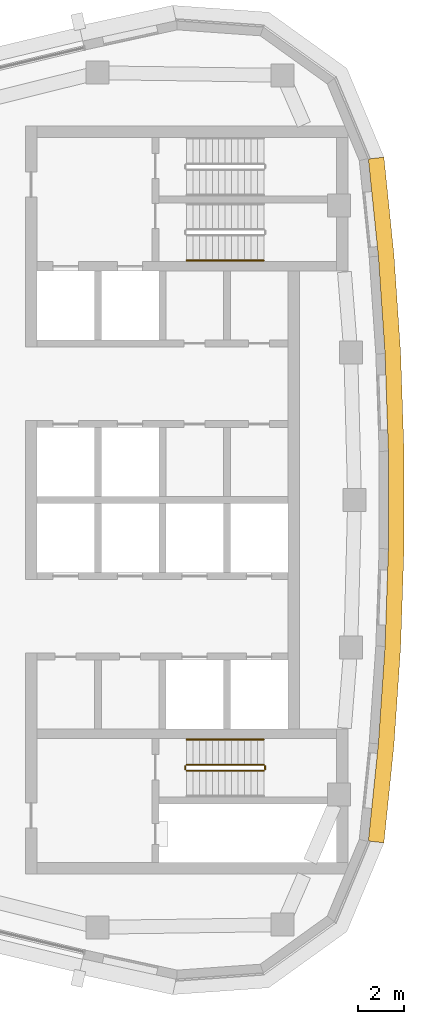
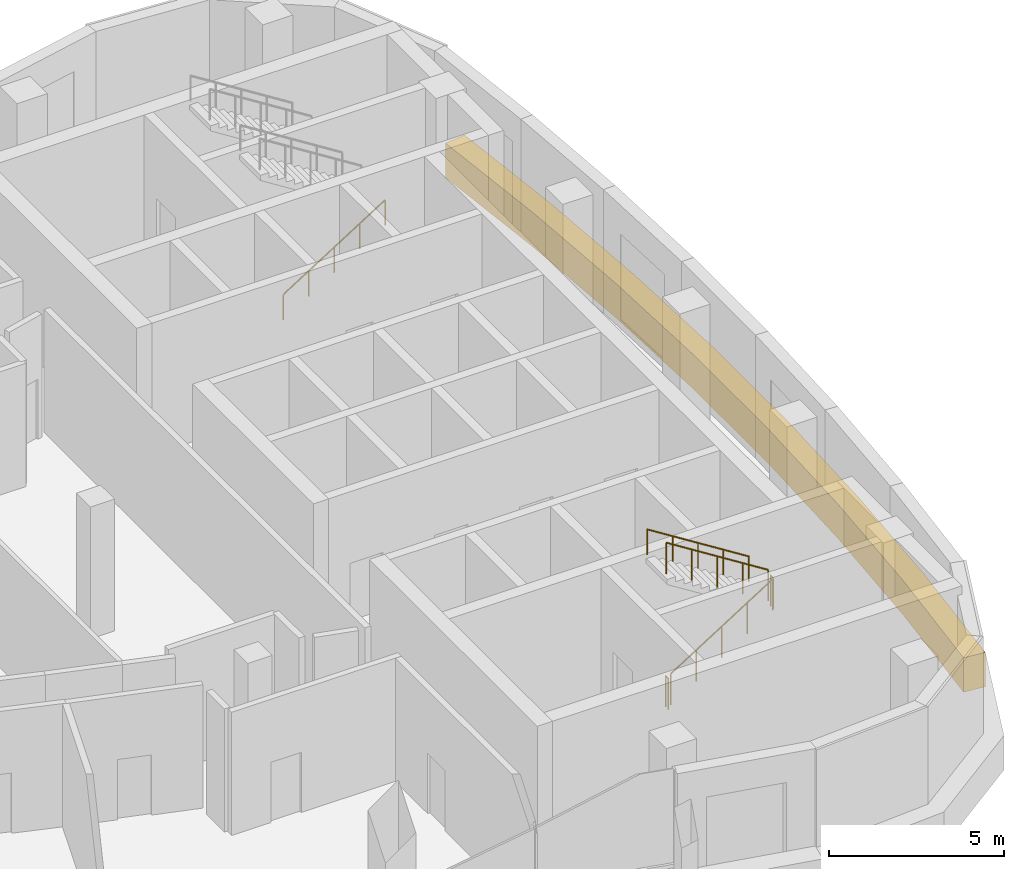
# One storey, part 12 of 15: 6 railings, 1 covering.
"""IFC4 building model written with IfcOpenShell, lengths in metres."""

from ifc_helpers import new_model, si_unit, direction, frame, origin, origin_2d, place, context, subcontext, project, spatial, polyline, circle, outline, extrude, material, layer, layer_set, type_object, element, save


model = new_model("IFC4")

# Units and contexts
model_context = context("Model", 3, precision=1e-05, world=origin(), true_north=direction((0.0, 1.0)))
body_context = subcontext(model_context, "Body", "Model", "MODEL_VIEW")
ifc_project = project(units=[si_unit("LENGTHUNIT", "METRE"), si_unit("AREAUNIT", "SQUARE_METRE"), si_unit("VOLUMEUNIT", "CUBIC_METRE"), si_unit("PLANEANGLEUNIT", "RADIAN"), si_unit("MASSUNIT", "GRAM", prefix="KILO")], contexts=[model_context])

# Site, building, storey
site_placement = place(None, origin())
site = spatial("IfcSite", under=ifc_project, at=site_placement, CompositionType="ELEMENT")
building_placement = place(site_placement, origin())
building = spatial("IfcBuilding", under=site, at=building_placement, Name="Ostrand Prow Hotel Tower", CompositionType="ELEMENT")
storey_placement = place(building_placement, frame((0.0, 0.0, 308.60009765625)))
storey = spatial("IfcBuildingStorey", under=building, at=storey_placement, Name="C1", CompositionType="ELEMENT", Elevation=308.60009765625)

# Covering
ifc_material_1 = material(Name="Bronze anodised aluminium cladding", Category="aluminium")
ifc_layer = layer(ifc_material_1, 0.60009765625)
ifc_layer_set = layer_set([ifc_layer], Name="Bronze anodised aluminium cladding")
covering_type = type_object("IfcCoveringType", Name="Bronze spandrel band 1200x600", PredefinedType="CLADDING", material=ifc_layer_set)
covering_placement = place(storey_placement, frame((0.0, 0.0, -0.300048828125)))
element("IfcCovering", 1, at=covering_placement, inside=storey, type_object=covering_type, Name="Spandrel band back 3", PredefinedType="CLADDING", context=body_context, shape_type="SweptSolid", body=[
    extrude(outline(polyline([(65.77197265625, -14.887451171875), (66.2080078125, -10.646240234375), (66.498779296875, -6.392822265625), (66.644287109375, -2.131591796875), (66.644287109375, 2.131591796875), (66.498779296875, 6.392822265625), (66.2080078125, 10.646240234375), (65.77197265625, 14.887451171875), (65.0966796875, 14.806396484375), (65.530517578125, 10.58837890625), (65.819580078125, 6.35791015625), (65.964599609375, 2.1201171875), (65.964599609375, -2.1201171875), (65.819580078125, -6.35791015625), (65.530517578125, -10.58837890625), (65.0966796875, -14.806396484375), (65.77197265625, -14.887451171875)])), origin(), (0.0, 0.0, 1.0), 1.199951171875),
])

# Railings
ifc_material_2 = material(Name="Painted steel", Category="steel")
railing_type_1 = type_object("IfcRailingType", Name="Stair guard 1100", PredefinedType="GUARDRAIL", material=ifc_material_2)
railing_1_placement = place(storey_placement, frame((57.199951171875, -11.75, 0.1767578125)))
element("IfcRailing", 2, at=railing_1_placement, inside=storey, type_object=railing_type_1, Name="C1 ST2C stair guard 1", PredefinedType="GUARDRAIL", context=body_context, shape_type="SweptSolid", body=[
    extrude(circle(Radius=0.02392578125, at=origin_2d()), frame((0.0, 0.0, 1.076171875), z_axis=(0.845389635667, 0.0, 0.534150132366), x_axis=(0.0, 1.0, 0.0)), (0.0, 0.0, 1.0), 3.974609375),
    extrude(circle(Radius=0.02099609375, at=origin_2d()), origin(), (0.0, 0.0, 1.0), 1.052001953125),
    extrude(circle(Radius=0.02099609375, at=origin_2d()), frame((0.840087890625, 0.0, 0.53076171875)), (0.0, 0.0, 1.0), 1.052001953125),
    extrude(circle(Radius=0.02099609375, at=origin_2d()), frame((1.68017578125, 0.0, 1.0615234375)), (0.0, 0.0, 1.0), 1.052001953125),
    extrude(circle(Radius=0.02099609375, at=origin_2d()), frame((2.52001953125, 0.0, 1.59228515625)), (0.0, 0.0, 1.0), 1.052001953125),
    extrude(circle(Radius=0.02099609375, at=origin_2d()), frame((3.360107421875, 0.0, 2.123046875)), (0.0, 0.0, 1.0), 1.052001953125),
])
railing_2_placement = place(storey_placement, frame((60.610107421875, -11.699951171875, 2.2998046875)))
element("IfcRailing", 3, at=railing_2_placement, inside=storey, type_object=railing_type_1, Name="C1 ST2C stair guard 2", PredefinedType="GUARDRAIL", context=body_context, shape_type="SweptSolid", body=[
    extrude(circle(Radius=0.02392578125, at=origin_2d()), frame((0.0, 0.0, 1.076171875), z_axis=(0.0, 1.0, 0.0), x_axis=(-1.0, 0.0, 0.0)), (0.0, 0.0, 1.0), 0.14990234375),
    extrude(circle(Radius=0.02099609375, at=origin_2d()), origin(), (0.0, 0.0, 1.0), 1.052001953125),
    extrude(circle(Radius=0.02099609375, at=origin_2d()), frame((0.0, 0.14990234375, 0.0)), (0.0, 0.0, 1.0), 1.052001953125),
])
railing_3_placement = place(storey_placement, frame((60.56005859375, -11.5, 2.476806640625)))
element("IfcRailing", 4, at=railing_3_placement, inside=storey, type_object=railing_type_1, Name="C1 ST2C stair guard 3", PredefinedType="GUARDRAIL", context=body_context, shape_type="SweptSolid", body=[
    extrude(circle(Radius=0.02392578125, at=origin_2d()), frame((0.0, 0.0, 1.076171875), z_axis=(-0.845389635667, 0.0, 0.534150132366), x_axis=(0.0, -1.0, 0.0)), (0.0, 0.0, 1.0), 3.974609375),
    extrude(circle(Radius=0.02099609375, at=origin_2d()), origin(), (0.0, 0.0, 1.0), 1.052001953125),
    extrude(circle(Radius=0.02099609375, at=origin_2d()), frame((-0.840087890625, 0.0, 0.53076171875)), (0.0, 0.0, 1.0), 1.052001953125),
    extrude(circle(Radius=0.02099609375, at=origin_2d()), frame((-1.68017578125, 0.0, 1.0615234375)), (0.0, 0.0, 1.0), 1.052001953125),
    extrude(circle(Radius=0.02099609375, at=origin_2d()), frame((-2.52001953125, 0.0, 1.59228515625)), (0.0, 0.0, 1.0), 1.052001953125),
    extrude(circle(Radius=0.02099609375, at=origin_2d()), frame((-3.360107421875, 0.0, 2.123046875)), (0.0, 0.0, 1.0), 1.052001953125),
])
railing_4_placement = place(storey_placement, frame((57.14990234375, -11.699951171875, 0.0)))
element("IfcRailing", 5, at=railing_4_placement, inside=storey, type_object=railing_type_1, Name="C1 ST2C stair guard 4", PredefinedType="GUARDRAIL", context=body_context, shape_type="SweptSolid", body=[
    extrude(circle(Radius=0.02392578125, at=origin_2d()), frame((0.0, 0.0, 1.076171875), z_axis=(0.0, 1.0, 0.0), x_axis=(-1.0, 0.0, 0.0)), (0.0, 0.0, 1.0), 0.14990234375),
    extrude(circle(Radius=0.02099609375, at=origin_2d()), origin(), (0.0, 0.0, 1.0), 1.052001953125),
    extrude(circle(Radius=0.02099609375, at=origin_2d()), frame((0.0, 0.14990234375, 0.0)), (0.0, 0.0, 1.0), 1.052001953125),
])
ifc_material_3 = material(Name="Stainless steel", Category="steel")
railing_type_2 = type_object("IfcRailingType", Name="Stair handrail 900", PredefinedType="HANDRAIL", material=ifc_material_3)
railing_5_placement = place(storey_placement, frame((57.199951171875, 10.39990234375, 0.1767578125)))
element("IfcRailing", 6, at=railing_5_placement, inside=storey, type_object=railing_type_2, Name="C1 ST1C stair handrail 1", PredefinedType="HANDRAIL", context=body_context, shape_type="SweptSolid", body=[
    extrude(circle(Radius=0.02392578125, at=origin_2d()), frame((0.0, 0.0, 0.8759765625), z_axis=(0.845389635667, 0.0, 0.534150132366), x_axis=(0.0, 1.0, 0.0)), (0.0, 0.0, 1.0), 3.974609375),
    extrude(circle(Radius=0.02099609375, at=origin_2d()), origin(), (0.0, 0.0, 1.0), 0.851806640625),
    extrude(circle(Radius=0.02099609375, at=origin_2d()), frame((0.840087890625, 0.0, 0.53076171875)), (0.0, 0.0, 1.0), 0.851806640625),
    extrude(circle(Radius=0.02099609375, at=origin_2d()), frame((1.68017578125, 0.0, 1.0615234375)), (0.0, 0.0, 1.0), 0.851806640625),
    extrude(circle(Radius=0.02099609375, at=origin_2d()), frame((2.52001953125, 0.0, 1.59228515625)), (0.0, 0.0, 1.0), 0.851806640625),
    extrude(circle(Radius=0.02099609375, at=origin_2d()), frame((3.360107421875, 0.0, 2.123046875)), (0.0, 0.0, 1.0), 0.851806640625),
])
railing_6_placement = place(storey_placement, frame((60.56005859375, -10.39990234375, 2.476806640625)))
element("IfcRailing", 7, at=railing_6_placement, inside=storey, type_object=railing_type_2, Name="C1 ST2C stair handrail 2", PredefinedType="HANDRAIL", context=body_context, shape_type="SweptSolid", body=[
    extrude(circle(Radius=0.02392578125, at=origin_2d()), frame((0.0, 0.0, 0.8759765625), z_axis=(-0.845389635667, 0.0, 0.534150132366), x_axis=(0.0, -1.0, 0.0)), (0.0, 0.0, 1.0), 3.974609375),
    extrude(circle(Radius=0.02099609375, at=origin_2d()), origin(), (0.0, 0.0, 1.0), 0.851806640625),
    extrude(circle(Radius=0.02099609375, at=origin_2d()), frame((-0.840087890625, 0.0, 0.53076171875)), (0.0, 0.0, 1.0), 0.851806640625),
    extrude(circle(Radius=0.02099609375, at=origin_2d()), frame((-1.68017578125, 0.0, 1.0615234375)), (0.0, 0.0, 1.0), 0.851806640625),
    extrude(circle(Radius=0.02099609375, at=origin_2d()), frame((-2.52001953125, 0.0, 1.59228515625)), (0.0, 0.0, 1.0), 0.851806640625),
    extrude(circle(Radius=0.02099609375, at=origin_2d()), frame((-3.360107421875, 0.0, 2.123046875)), (0.0, 0.0, 1.0), 0.851806640625),
])

save(model, "model.ifc")
